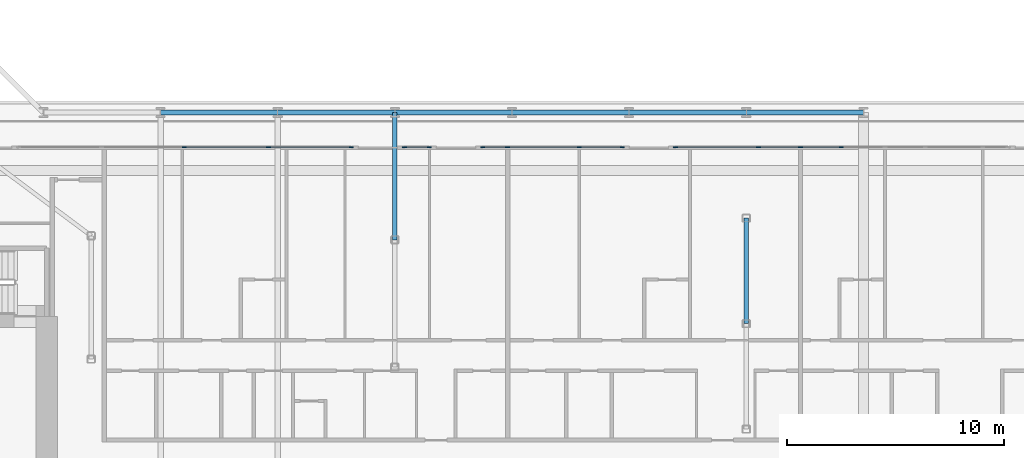
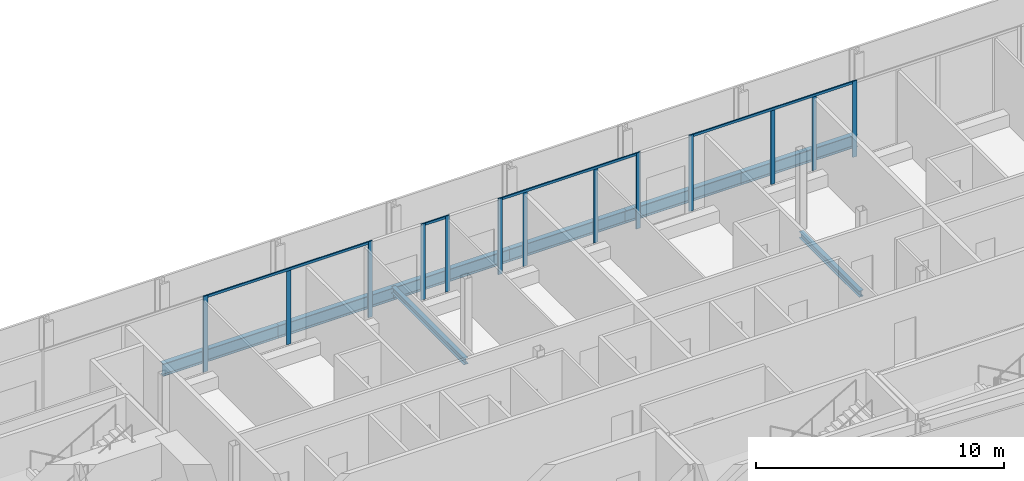
# One storey, part 6 of 29: 17 members, 8 beams, 5 elements without a shape of their own.
"""IFC4 building model written with IfcOpenShell, lengths in metres."""

from ifc_helpers import new_model, si_unit, direction, frame, origin, origin_2d, place, context, subcontext, project, spatial, rectangle, i_section, extrude, material, layer, layer_set, material_profile, profile_set, type_object, element, aggregate, save


model = new_model("IFC4")

# Units and contexts
model_context = context("Model", 3, precision=1e-05, world=origin(), true_north=direction((0.0, 1.0)))
body_context = subcontext(model_context, "Body", "Model", "MODEL_VIEW")
ifc_project = project(units=[si_unit("LENGTHUNIT", "METRE"), si_unit("AREAUNIT", "SQUARE_METRE"), si_unit("VOLUMEUNIT", "CUBIC_METRE"), si_unit("PLANEANGLEUNIT", "RADIAN"), si_unit("MASSUNIT", "GRAM", prefix="KILO")], contexts=[model_context])

# Site, building, storey
site_placement = place(None, origin())
site = spatial("IfcSite", under=ifc_project, at=site_placement, CompositionType="ELEMENT")
building_placement = place(site_placement, origin())
building = spatial("IfcBuilding", under=site, at=building_placement, Name="Kheshtan School and Residences Tower", CompositionType="ELEMENT")
storey_placement = place(building_placement, frame((0.0, 0.0, 65.60009765625)))
storey = spatial("IfcBuildingStorey", under=building, at=storey_placement, Name="L15", CompositionType="ELEMENT", Elevation=65.60009765625)

# Beams
ifc_material_1 = material(Name="Steel ASTM A992 Grade 50", Category="steel")
ifc_material_profile_1 = material_profile(ifc_material_1, i_section(OverallWidth=0.202880859375, OverallDepth=0.302978515625, WebThickness=0.007568359375, FlangeThickness=0.01318359375, FilletRadius=0.009033203125, at=origin_2d()), Name="W310x60")
ifc_profile_set_1 = profile_set([ifc_material_profile_1], Name="Steel ASTM A992 Grade 50")
beam_type_1 = type_object("IfcBeamType", Name="Beam FB1 W310x60 ASTM A992 Grade 50", PredefinedType="BEAM", material=ifc_profile_set_1)
beam_1_placement = place(storey_placement, frame((69.199951171875, 45.60009765625, -0.301513671875), z_axis=(0.0, -1.0, 0.0), x_axis=(1.0, 0.0, 0.0)))
element("IfcBeam", 1, at=beam_1_placement, inside=storey, type_object=beam_type_1, Name="Floor beam C064", PredefinedType="BEAM", context=body_context, shape_type="SweptSolid", body=[
    extrude(i_section(OverallWidth=0.202880859375, OverallDepth=0.302978515625, WebThickness=0.007568359375, FlangeThickness=0.01318359375, FilletRadius=0.009033203125, at=origin_2d()), origin(), (0.0, 0.0, 1.0), 5.8681640625),
])
beam_2_placement = place(storey_placement, frame((85.39990234375, 40.735107421875, -0.301513671875), z_axis=(0.0, -1.0, 0.0), x_axis=(1.0, 0.0, 0.0)))
element("IfcBeam", 2, at=beam_2_placement, inside=storey, type_object=beam_type_1, Name="Floor beam IC", PredefinedType="BEAM", context=body_context, shape_type="SweptSolid", body=[
    extrude(i_section(OverallWidth=0.202880859375, OverallDepth=0.302978515625, WebThickness=0.007568359375, FlangeThickness=0.01318359375, FilletRadius=0.009033203125, at=origin_2d()), origin(), (0.0, 0.0, 1.0), 4.864990234375),
])
ifc_material_profile_2 = material_profile(ifc_material_1, i_section(OverallWidth=0.22998046875, OverallDepth=0.616943359375, WebThickness=0.01318359375, FlangeThickness=0.022216796875, FilletRadius=0.0185546875, at=origin_2d()), Name="W610x140")
ifc_profile_set_2 = profile_set([ifc_material_profile_2], Name="Steel ASTM A992 Grade 50")
beam_type_2 = type_object("IfcBeamType", Name="Beam SP1 W610x140 ASTM A992 Grade 50", PredefinedType="BEAM", material=ifc_profile_set_2)
beam_3_placement = place(storey_placement, frame((58.39990234375, 45.60009765625, -0.45849609375), z_axis=(1.0, 0.0, 0.0), x_axis=(0.0, 1.0, 0.0)))
element("IfcBeam", 3, at=beam_3_placement, inside=storey, type_object=beam_type_2, Name="Spandrel beam C062-C063", PredefinedType="BEAM", context=body_context, shape_type="SweptSolid", body=[
    extrude(i_section(OverallWidth=0.22998046875, OverallDepth=0.616943359375, WebThickness=0.01318359375, FlangeThickness=0.022216796875, FilletRadius=0.0185546875, at=origin_2d()), origin(), (0.0, 0.0, 1.0), 5.400146484375),
])
beam_4_placement = place(storey_placement, frame((63.800048828125, 45.60009765625, -0.45849609375), z_axis=(1.0, 0.0, 0.0), x_axis=(0.0, 1.0, 0.0)))
element("IfcBeam", 4, at=beam_4_placement, inside=storey, type_object=beam_type_2, Name="Spandrel beam C063-C064", PredefinedType="BEAM", context=body_context, shape_type="SweptSolid", body=[
    extrude(i_section(OverallWidth=0.22998046875, OverallDepth=0.616943359375, WebThickness=0.01318359375, FlangeThickness=0.022216796875, FilletRadius=0.0185546875, at=origin_2d()), origin(), (0.0, 0.0, 1.0), 5.39990234375),
])
beam_5_placement = place(storey_placement, frame((69.199951171875, 45.60009765625, -0.45849609375), z_axis=(1.0, 0.0, 0.0), x_axis=(0.0, 1.0, 0.0)))
element("IfcBeam", 5, at=beam_5_placement, inside=storey, type_object=beam_type_2, Name="Spandrel beam C064-C065", PredefinedType="BEAM", context=body_context, shape_type="SweptSolid", body=[
    extrude(i_section(OverallWidth=0.22998046875, OverallDepth=0.616943359375, WebThickness=0.01318359375, FlangeThickness=0.022216796875, FilletRadius=0.0185546875, at=origin_2d()), origin(), (0.0, 0.0, 1.0), 5.400146484375),
])
for number, where, z_axis, x_axis, name in (
    (6, (74.60009765625, 45.60009765625, -0.45849609375), (1.0, 0.0, 0.0), (0.0, 1.0, 0.0), "Spandrel beam C065-C066"),
    (7, (80.0, 45.60009765625, -0.45849609375), (1.0, 0.0, 0.0), (0.0, 1.0, 0.0), "Spandrel beam C066-C067"),
):
    element("IfcBeam", number, at=place(storey_placement, frame(where, z_axis=z_axis, x_axis=x_axis)), inside=storey, type_object=beam_type_2, Name=name, PredefinedType="BEAM", context=body_context, shape_type="SweptSolid", body=[
        extrude(i_section(OverallWidth=0.22998046875, OverallDepth=0.616943359375, WebThickness=0.01318359375, FlangeThickness=0.022216796875, FilletRadius=0.0185546875, at=origin_2d()), origin(), (0.0, 0.0, 1.0), 5.39990234375),
    ])
beam_6_placement = place(storey_placement, frame((85.39990234375, 45.60009765625, -0.45849609375), z_axis=(1.0, 0.0, 0.0), x_axis=(0.0, 1.0, 0.0)))
element("IfcBeam", 8, at=beam_6_placement, inside=storey, type_object=beam_type_2, Name="Spandrel beam C067-C068", PredefinedType="BEAM", context=body_context, shape_type="SweptSolid", body=[
    extrude(i_section(OverallWidth=0.22998046875, OverallDepth=0.616943359375, WebThickness=0.01318359375, FlangeThickness=0.022216796875, FilletRadius=0.0185546875, at=origin_2d()), origin(), (0.0, 0.0, 1.0), 5.400146484375),
])

# Curtain wall, member
ifc_material_2 = material(Name="Clear low-e glass in thermally broken aluminium frame", Category="aluminium")
ifc_layer = layer(ifc_material_2, 0.199951171875)
ifc_layer_set = layer_set([ifc_layer], Name="Curtain wall CW-L")
curtain_wall_type = type_object("IfcCurtainWallType", Name="Curtain wall CW-L", PredefinedType="NOTDEFINED", material=ifc_layer_set)
curtain_wall_1_placement = place(storey_placement, origin())
curtain_wall_1 = element("IfcCurtainWall", 9, at=curtain_wall_1_placement, inside=storey, type_object=curtain_wall_type, Name="Curtain wall CWL12j", PredefinedType="NOTDEFINED")
ifc_material_3 = material(Name="Thermally broken aluminium, dark bronze anodised", Category="aluminium")
ifc_material_profile_3 = material_profile(ifc_material_3, rectangle(XDim=0.06005859375, YDim=0.199951171875, at=origin_2d()), Name="CW-L mullion 60x200")
ifc_profile_set_3 = profile_set([ifc_material_profile_3], Name="Thermally broken aluminium, dark bronze anodised")
member_type_1 = type_object("IfcMemberType", Name="CW-L mullion 60x200", PredefinedType="MULLION", material=ifc_profile_set_3)
member_1_placement = place(storey_placement, frame((59.493896484375, 44.0, 0.0), z_axis=(0.0, 0.0, 1.0), x_axis=(0.0, 1.0, 0.0)))
member_1 = element("IfcMember", 10, at=member_1_placement, type_object=member_type_1, Name="CWL12j mullion 3", PredefinedType="MULLION", context=body_context, shape_type="SweptSolid", body=[
    extrude(rectangle(XDim=0.06005859375, YDim=0.199951171875, at=origin_2d()), origin(), (0.0, 0.0, 1.0), 3.75),
])
aggregate(curtain_wall_1, [member_1])

# Curtain wall, members
curtain_wall_2_placement = place(storey_placement, origin())
curtain_wall_2 = element("IfcCurtainWall", 11, at=curtain_wall_2_placement, inside=storey, type_object=curtain_wall_type, Name="Curtain wall CWL12j", PredefinedType="NOTDEFINED")
member_2_placement = place(storey_placement, frame((63.37109375, 44.0, 0.0), z_axis=(0.0, 0.0, 1.0), x_axis=(0.0, 1.0, 0.0)))
member_2 = element("IfcMember", 12, at=member_2_placement, type_object=member_type_1, Name="CWL12j mullion 2", PredefinedType="MULLION", context=body_context, shape_type="SweptSolid", body=[
    extrude(rectangle(XDim=0.06005859375, YDim=0.199951171875, at=origin_2d()), origin(), (0.0, 0.0, 1.0), 3.6298828125),
])
member_3_placement = place(storey_placement, frame((67.18798828125, 44.0, 0.0), z_axis=(0.0, 0.0, 1.0), x_axis=(0.0, 1.0, 0.0)))
member_3 = element("IfcMember", 13, at=member_3_placement, type_object=member_type_1, Name="CWL12j mullion 3", PredefinedType="MULLION", context=body_context, shape_type="SweptSolid", body=[
    extrude(rectangle(XDim=0.06005859375, YDim=0.199951171875, at=origin_2d()), origin(), (0.0, 0.0, 1.0), 3.75),
])

curtain_wall_3_placement = place(storey_placement, origin())
curtain_wall_3 = element("IfcCurtainWall", 14, at=curtain_wall_3_placement, inside=storey, type_object=curtain_wall_type, Name="Curtain wall CWL12b", PredefinedType="NOTDEFINED")
member_4_placement = place(storey_placement, frame((69.64794921875, 44.0, 0.0), z_axis=(0.0, 0.0, 1.0), x_axis=(0.0, 1.0, 0.0)))
member_4 = element("IfcMember", 15, at=member_4_placement, type_object=member_type_1, Name="CWL12b mullion 1", PredefinedType="MULLION", context=body_context, shape_type="SweptSolid", body=[
    extrude(rectangle(XDim=0.06005859375, YDim=0.199951171875, at=origin_2d()), origin(), (0.0, 0.0, 1.0), 3.75),
])
member_5_placement = place(storey_placement, frame((70.7880859375, 44.0, 0.0), z_axis=(0.0, 0.0, 1.0), x_axis=(0.0, 1.0, 0.0)))
member_5 = element("IfcMember", 16, at=member_5_placement, type_object=member_type_1, Name="CWL12b mullion 2", PredefinedType="MULLION", context=body_context, shape_type="SweptSolid", body=[
    extrude(rectangle(XDim=0.06005859375, YDim=0.199951171875, at=origin_2d()), origin(), (0.0, 0.0, 1.0), 3.75),
])

curtain_wall_4_placement = place(storey_placement, origin())
curtain_wall_4 = element("IfcCurtainWall", 17, at=curtain_wall_4_placement, inside=storey, type_object=curtain_wall_type, Name="Curtain wall CWL12l", PredefinedType="NOTDEFINED")
member_6_placement = place(storey_placement, frame((73.248046875, 44.0, 0.0), z_axis=(0.0, 0.0, 1.0), x_axis=(0.0, 1.0, 0.0)))
member_6 = element("IfcMember", 18, at=member_6_placement, type_object=member_type_1, Name="CWL12l mullion 1", PredefinedType="MULLION", context=body_context, shape_type="SweptSolid", body=[
    extrude(rectangle(XDim=0.06005859375, YDim=0.199951171875, at=origin_2d()), origin(), (0.0, 0.0, 1.0), 3.75),
])
member_7_placement = place(storey_placement, frame((74.39990234375, 44.0, 0.0), z_axis=(0.0, 0.0, 1.0), x_axis=(0.0, 1.0, 0.0)))
member_7 = element("IfcMember", 19, at=member_7_placement, type_object=member_type_1, Name="CWL12l mullion 2", PredefinedType="MULLION", context=body_context, shape_type="SweptSolid", body=[
    extrude(rectangle(XDim=0.06005859375, YDim=0.199951171875, at=origin_2d()), origin(), (0.0, 0.0, 1.0), 3.6298828125),
])
member_8_placement = place(storey_placement, frame((77.699951171875, 44.0, 0.0), z_axis=(0.0, 0.0, 1.0), x_axis=(0.0, 1.0, 0.0)))
member_8 = element("IfcMember", 20, at=member_8_placement, type_object=member_type_1, Name="CWL12l mullion 3", PredefinedType="MULLION", context=body_context, shape_type="SweptSolid", body=[
    extrude(rectangle(XDim=0.06005859375, YDim=0.199951171875, at=origin_2d()), origin(), (0.0, 0.0, 1.0), 3.6298828125),
])
member_9_placement = place(storey_placement, frame((79.681884765625, 44.0, 0.0), z_axis=(0.0, 0.0, 1.0), x_axis=(0.0, 1.0, 0.0)))
member_9 = element("IfcMember", 21, at=member_9_placement, type_object=member_type_1, Name="CWL12l mullion 4", PredefinedType="MULLION", context=body_context, shape_type="SweptSolid", body=[
    extrude(rectangle(XDim=0.06005859375, YDim=0.199951171875, at=origin_2d()), origin(), (0.0, 0.0, 1.0), 3.75),
])

curtain_wall_5_placement = place(storey_placement, origin())
curtain_wall_5 = element("IfcCurtainWall", 22, at=curtain_wall_5_placement, inside=storey, type_object=curtain_wall_type, Name="Curtain wall CWL12k", PredefinedType="NOTDEFINED")
member_10_placement = place(storey_placement, frame((82.14208984375, 44.0, 0.0), z_axis=(0.0, 0.0, 1.0), x_axis=(0.0, 1.0, 0.0)))
member_10 = element("IfcMember", 23, at=member_10_placement, type_object=member_type_1, Name="CWL12k mullion 1", PredefinedType="MULLION", context=body_context, shape_type="SweptSolid", body=[
    extrude(rectangle(XDim=0.06005859375, YDim=0.199951171875, at=origin_2d()), origin(), (0.0, 0.0, 1.0), 3.75),
])
member_11_placement = place(storey_placement, frame((85.958984375, 44.0, 0.0), z_axis=(0.0, 0.0, 1.0), x_axis=(0.0, 1.0, 0.0)))
member_11 = element("IfcMember", 24, at=member_11_placement, type_object=member_type_1, Name="CWL12k mullion 2", PredefinedType="MULLION", context=body_context, shape_type="SweptSolid", body=[
    extrude(rectangle(XDim=0.06005859375, YDim=0.199951171875, at=origin_2d()), origin(), (0.0, 0.0, 1.0), 3.6298828125),
])
member_12_placement = place(storey_placement, frame((87.89990234375, 44.0, 0.0), z_axis=(0.0, 0.0, 1.0), x_axis=(0.0, 1.0, 0.0)))
member_12 = element("IfcMember", 25, at=member_12_placement, type_object=member_type_1, Name="CWL12k mullion 3", PredefinedType="MULLION", context=body_context, shape_type="SweptSolid", body=[
    extrude(rectangle(XDim=0.06005859375, YDim=0.199951171875, at=origin_2d()), origin(), (0.0, 0.0, 1.0), 3.6298828125),
])
member_13_placement = place(storey_placement, frame((89.77587890625, 44.0, 0.0), z_axis=(0.0, 0.0, 1.0), x_axis=(0.0, 1.0, 0.0)))
member_13 = element("IfcMember", 26, at=member_13_placement, type_object=member_type_1, Name="CWL12k mullion 4", PredefinedType="MULLION", context=body_context, shape_type="SweptSolid", body=[
    extrude(rectangle(XDim=0.06005859375, YDim=0.199951171875, at=origin_2d()), origin(), (0.0, 0.0, 1.0), 3.75),
])

# Member
ifc_material_profile_4 = material_profile(ifc_material_3, rectangle(XDim=0.06005859375, YDim=0.1201171875, at=origin_2d()), Name="CW-L transom 60x120")
ifc_profile_set_4 = profile_set([ifc_material_profile_4], Name="Thermally broken aluminium, dark bronze anodised")
member_type_2 = type_object("IfcMemberType", Name="CW-L transom 60x120", PredefinedType="USERDEFINED", material=ifc_profile_set_4)
member_14_placement = place(storey_placement, frame((59.52392578125, 44.0, 3.68994140625), z_axis=(1.0, 0.0, 0.0), x_axis=(0.0, 1.0, 0.0)))
member_14 = element("IfcMember", 27, at=member_14_placement, type_object=member_type_2, Name="CWL12j transom 1", ObjectType="TRANSOM", PredefinedType="USERDEFINED", context=body_context, shape_type="SweptSolid", body=[
    extrude(rectangle(XDim=0.06005859375, YDim=0.1201171875, at=origin_2d()), origin(), (0.0, 0.0, 1.0), 7.634033203125),
])

aggregate(curtain_wall_2, [member_2, member_3, member_14])

member_15_placement = place(storey_placement, frame((69.677978515625, 44.0, 3.68994140625), z_axis=(1.0, 0.0, 0.0), x_axis=(0.0, 1.0, 0.0)))
member_15 = element("IfcMember", 28, at=member_15_placement, type_object=member_type_2, Name="CWL12b transom 1", ObjectType="TRANSOM", PredefinedType="USERDEFINED", context=body_context, shape_type="SweptSolid", body=[
    extrude(rectangle(XDim=0.06005859375, YDim=0.1201171875, at=origin_2d()), origin(), (0.0, 0.0, 1.0), 1.080078125),
])

aggregate(curtain_wall_3, [member_4, member_5, member_15])

member_16_placement = place(storey_placement, frame((73.278076171875, 44.0, 3.68994140625), z_axis=(1.0, 0.0, 0.0), x_axis=(0.0, 1.0, 0.0)))
member_16 = element("IfcMember", 29, at=member_16_placement, type_object=member_type_2, Name="CWL12l transom 1", ObjectType="TRANSOM", PredefinedType="USERDEFINED", context=body_context, shape_type="SweptSolid", body=[
    extrude(rectangle(XDim=0.06005859375, YDim=0.1201171875, at=origin_2d()), origin(), (0.0, 0.0, 1.0), 6.3740234375),
])

aggregate(curtain_wall_4, [member_6, member_7, member_8, member_9, member_16])

member_17_placement = place(storey_placement, frame((82.172119140625, 44.0, 3.68994140625), z_axis=(1.0, 0.0, 0.0), x_axis=(0.0, 1.0, 0.0)))
member_17 = element("IfcMember", 30, at=member_17_placement, type_object=member_type_2, Name="CWL12k transom 1", ObjectType="TRANSOM", PredefinedType="USERDEFINED", context=body_context, shape_type="SweptSolid", body=[
    extrude(rectangle(XDim=0.06005859375, YDim=0.1201171875, at=origin_2d()), origin(), (0.0, 0.0, 1.0), 7.573974609375),
])

aggregate(curtain_wall_5, [member_10, member_11, member_12, member_13, member_17])

save(model, "model.ifc")
